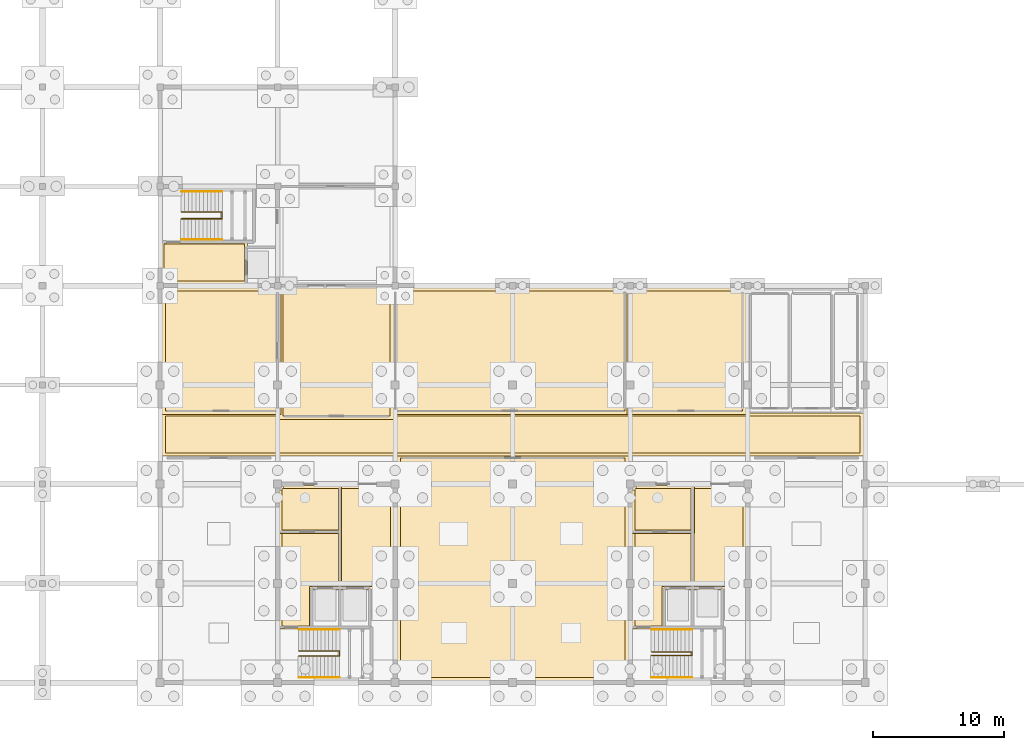
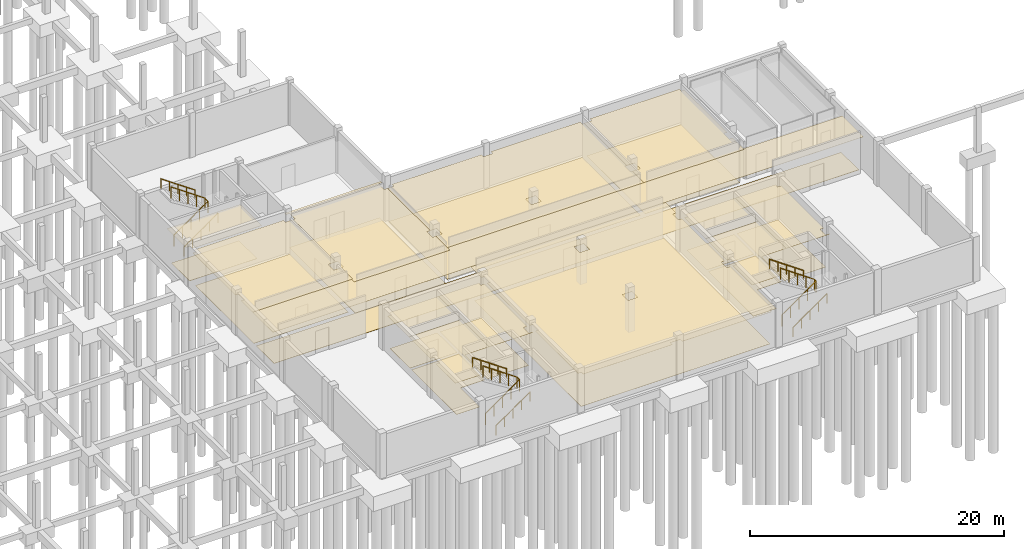
# One storey, part 26 of 28: 26 coverings, 9 railings.
"""IFC4 building model written with IfcOpenShell, lengths in metres."""

from ifc_helpers import new_model, si_unit, direction, frame, origin, origin_2d, place, context, subcontext, project, spatial, polyline, circle, outline, extrude, material, layer, layer_set, type_object, element, save


model = new_model("IFC4")

# Units and contexts
model_context = context("Model", 3, precision=1e-05, world=origin(), true_north=direction((0.0, 1.0)))
body_context = subcontext(model_context, "Body", "Model", "MODEL_VIEW")
ifc_project = project(units=[si_unit("LENGTHUNIT", "METRE"), si_unit("AREAUNIT", "SQUARE_METRE"), si_unit("VOLUMEUNIT", "CUBIC_METRE"), si_unit("PLANEANGLEUNIT", "RADIAN"), si_unit("MASSUNIT", "GRAM", prefix="KILO")], contexts=[model_context])

# Site, building, storey
site_placement = place(None, origin())
site = spatial("IfcSite", under=ifc_project, at=site_placement, CompositionType="ELEMENT")
building_placement = place(site_placement, origin())
building = spatial("IfcBuilding", under=site, at=building_placement, Name="Caisbarro Railhouse Central Library", CompositionType="ELEMENT")
storey_placement = place(building_placement, frame((0.0, 0.0, -4.320068359375)))
storey = spatial("IfcBuildingStorey", under=building, at=storey_placement, Name="B01", CompositionType="ELEMENT", Elevation=-4.320068359375)

# Coverings
ifc_material_1 = material(Name="Perforated mineral-fibre acoustic ceiling tile")
ifc_layer_1 = layer(ifc_material_1, 0.01806640625, Name="Perforated mineral-fibre acoustic ceiling tile")
ifc_layer_set_1 = layer_set([ifc_layer_1], Name="Perforated mineral-fibre acoustic ceiling tile")
covering_type_1 = type_object("IfcCoveringType", Name="COV-CL01", PredefinedType="CEILING", material=ifc_layer_set_1)
covering_1_placement = place(storey_placement, frame((0.0, 0.0, 3.25)))
element("IfcCovering", 1, at=covering_1_placement, inside=storey, type_object=covering_type_1, Name="CL01 acoustic ceiling Firefighting Lift Lobby K1", PredefinedType="CEILING", context=body_context, shape_type="SweptSolid", body=[
    extrude(outline(polyline([(63.090087890625, 7.159912109375), (63.43994140625, 7.159912109375), (63.43994140625, 8.0400390625), (63.090087890625, 8.0400390625), (63.090087890625, 11.7099609375), (67.909912109375, 11.7099609375), (67.909912109375, 7.090087890625), (65.7099609375, 7.090087890625), (65.7099609375, 4.090087890625), (63.090087890625, 4.090087890625), (63.090087890625, 7.159912109375)])), origin(), (0.0, 0.0, 1.0), 0.01806640625),
])
covering_2_placement = place(storey_placement, frame((0.0, 0.0, 3.25)))
element("IfcCovering", 2, at=covering_2_placement, inside=storey, type_object=covering_type_1, Name="CL01 acoustic ceiling Lift Lobby K1", PredefinedType="CEILING", context=body_context, shape_type="SweptSolid", body=[
    extrude(outline(polyline([(71.56005859375, 15.110107421875), (71.56005859375, 14.760009765625), (71.909912109375, 14.760009765625), (71.909912109375, 8.0400390625), (71.56005859375, 8.0400390625), (71.56005859375, 7.159912109375), (71.909912109375, 7.159912109375), (71.909912109375, 7.090087890625), (67.639892578125, 7.090087890625), (67.639892578125, 15.110107421875), (71.56005859375, 15.110107421875)])), origin(), (0.0, 0.0, 1.0), 0.01806640625),
])
covering_3_placement = place(storey_placement, frame((0.0, 0.0, 3.25)))
element("IfcCovering", 3, at=covering_3_placement, inside=storey, type_object=covering_type_1, Name="CL01 acoustic ceiling Core Vestibule K1", PredefinedType="CEILING", context=body_context, shape_type="SweptSolid", body=[
    extrude(outline(polyline([(63.090087890625, 14.760009765625), (63.43994140625, 14.760009765625), (63.43994140625, 15.110107421875), (67.909912109375, 15.110107421875), (67.909912109375, 11.43994140625), (63.090087890625, 11.43994140625), (63.090087890625, 14.760009765625)])), origin(), (0.0, 0.0, 1.0), 0.01806640625),
])
covering_4_placement = place(storey_placement, frame((0.0, 0.0, 3.25)))
element("IfcCovering", 4, at=covering_4_placement, inside=storey, type_object=covering_type_1, Name="CL01 acoustic ceiling Firefighting Lift Lobby K2", PredefinedType="CEILING", context=body_context, shape_type="SweptSolid", body=[
    extrude(outline(polyline([(90.090087890625, 7.159912109375), (90.43994140625, 7.159912109375), (90.43994140625, 8.0400390625), (90.090087890625, 8.0400390625), (90.090087890625, 11.7099609375), (94.909912109375, 11.7099609375), (94.909912109375, 7.090087890625), (92.7099609375, 7.090087890625), (92.7099609375, 4.090087890625), (90.090087890625, 4.090087890625), (90.090087890625, 7.159912109375)])), origin(), (0.0, 0.0, 1.0), 0.01806640625),
])
covering_5_placement = place(storey_placement, frame((0.0, 0.0, 3.25)))
element("IfcCovering", 5, at=covering_5_placement, inside=storey, type_object=covering_type_1, Name="CL01 acoustic ceiling Lift Lobby K2", PredefinedType="CEILING", context=body_context, shape_type="SweptSolid", body=[
    extrude(outline(polyline([(98.56005859375, 15.110107421875), (98.56005859375, 14.760009765625), (98.909912109375, 14.760009765625), (98.909912109375, 8.0400390625), (98.56005859375, 8.0400390625), (98.56005859375, 7.159912109375), (98.909912109375, 7.159912109375), (98.909912109375, 7.090087890625), (94.639892578125, 7.090087890625), (94.639892578125, 15.110107421875), (98.56005859375, 15.110107421875)])), origin(), (0.0, 0.0, 1.0), 0.01806640625),
])
covering_6_placement = place(storey_placement, frame((0.0, 0.0, 3.25)))
element("IfcCovering", 6, at=covering_6_placement, inside=storey, type_object=covering_type_1, Name="CL01 acoustic ceiling Core Vestibule K2", PredefinedType="CEILING", context=body_context, shape_type="SweptSolid", body=[
    extrude(outline(polyline([(90.090087890625, 14.760009765625), (90.43994140625, 14.760009765625), (90.43994140625, 15.110107421875), (94.909912109375, 15.110107421875), (94.909912109375, 11.43994140625), (90.090087890625, 11.43994140625), (90.090087890625, 14.760009765625)])), origin(), (0.0, 0.0, 1.0), 0.01806640625),
])
covering_7_placement = place(storey_placement, frame((0.0, 0.0, 3.25)))
element("IfcCovering", 7, at=covering_7_placement, inside=storey, type_object=covering_type_1, Name="CL01 acoustic ceiling Lift Lobby K4", PredefinedType="CEILING", context=body_context, shape_type="SweptSolid", body=[
    extrude(outline(polyline([(54.0400390625, 33.860107421875), (60.7099609375, 33.860107421875), (60.7099609375, 30.489990234375), (54.43994140625, 30.489990234375), (54.43994140625, 30.840087890625), (54.0400390625, 30.840087890625), (54.0400390625, 33.860107421875)])), origin(), (0.0, 0.0, 1.0), 0.01806640625),
])
covering_8_placement = place(storey_placement, frame((0.0, 0.0, 3.25)))
element("IfcCovering", 8, at=covering_8_placement, inside=storey, type_object=covering_type_1, Name="CL01 acoustic ceiling Archive Service Corridor", PredefinedType="CEILING", context=body_context, shape_type="SweptSolid", body=[
    extrude(outline(polyline([(54.139892578125, 17.340087890625), (54.139892578125, 20.659912109375), (107.860107421875, 20.659912109375), (107.860107421875, 17.340087890625), (54.139892578125, 17.340087890625)])), origin(), (0.0, 0.0, 1.0), 0.01806640625),
])
covering_9_placement = place(storey_placement, frame((0.0, 0.0, 3.25)))
element("IfcCovering", 9, at=covering_9_placement, inside=storey, type_object=covering_type_1, Name="CL01 acoustic ceiling Rare-Books Climate Vault", PredefinedType="CEILING", context=body_context, shape_type="SweptSolid", body=[
    extrude(outline(polyline([(72.43994140625, 0.43994140625), (72.139892578125, 0.43994140625), (72.139892578125, 7.159912109375), (72.43994140625, 7.159912109375), (72.43994140625, 8.0400390625), (72.139892578125, 8.0400390625), (72.139892578125, 14.760009765625), (72.43994140625, 14.760009765625), (72.43994140625, 15.639892578125), (72.139892578125, 15.639892578125), (72.139892578125, 17.4599609375), (89.860107421875, 17.4599609375), (89.860107421875, 15.639892578125), (89.56005859375, 15.639892578125), (89.56005859375, 14.760009765625), (89.860107421875, 14.760009765625), (89.860107421875, 8.0400390625), (89.56005859375, 8.0400390625), (89.56005859375, 7.159912109375), (89.860107421875, 7.159912109375), (89.860107421875, 0.43994140625), (89.56005859375, 0.43994140625), (89.56005859375, 0.139892578125), (81.43994140625, 0.139892578125), (81.43994140625, 0.43994140625), (80.56005859375, 0.43994140625), (80.56005859375, 0.139892578125), (72.43994140625, 0.139892578125), (72.43994140625, 0.43994140625)]), holes=[polyline([(81.43994140625, 8.0400390625), (80.56005859375, 8.0400390625), (80.56005859375, 7.159912109375), (81.43994140625, 7.159912109375), (81.43994140625, 8.0400390625)]), polyline([(81.43994140625, 14.760009765625), (81.43994140625, 15.639892578125), (80.56005859375, 15.639892578125), (80.56005859375, 14.760009765625), (81.43994140625, 14.760009765625)])]), origin(), (0.0, 0.0, 1.0), 0.01806640625),
])
covering_10_placement = place(storey_placement, frame((0.0, 0.0, 3.25)))
element("IfcCovering", 10, at=covering_10_placement, inside=storey, type_object=covering_type_1, Name="CL01 acoustic ceiling Compact Mobile Shelving Archive", PredefinedType="CEILING", context=body_context, shape_type="SweptSolid", body=[
    extrude(outline(polyline([(54.139892578125, 23.239990234375), (54.139892578125, 29.9599609375), (54.43994140625, 29.9599609375), (54.43994140625, 30.260009765625), (62.56005859375, 30.260009765625), (62.56005859375, 29.9599609375), (63.260009765625, 29.9599609375), (63.260009765625, 23.239990234375), (62.56005859375, 23.239990234375), (62.56005859375, 22.360107421875), (63.260009765625, 22.360107421875), (63.260009765625, 20.5400390625), (54.139892578125, 20.5400390625), (54.139892578125, 22.360107421875), (54.43994140625, 22.360107421875), (54.43994140625, 23.239990234375), (54.139892578125, 23.239990234375)])), origin(), (0.0, 0.0, 1.0), 0.01806640625),
])
covering_11_placement = place(storey_placement, frame((0.0, 0.0, 3.25)))
element("IfcCovering", 11, at=covering_11_placement, inside=storey, type_object=covering_type_1, Name="CL01 acoustic ceiling North Basement Link Corridor", PredefinedType="CEILING", context=body_context, shape_type="SweptSolid", body=[
    extrude(outline(polyline([(63.139892578125, 23.239990234375), (63.139892578125, 29.9599609375), (63.43994140625, 29.9599609375), (63.43994140625, 30.840087890625), (63.139892578125, 30.840087890625), (63.139892578125, 31.06005859375), (71.860107421875, 31.06005859375), (71.860107421875, 30.840087890625), (71.56005859375, 30.840087890625), (71.56005859375, 29.9599609375), (71.860107421875, 29.9599609375), (71.860107421875, 23.239990234375), (71.56005859375, 23.239990234375), (71.56005859375, 22.360107421875), (71.860107421875, 22.360107421875), (71.860107421875, 20.139892578125), (63.139892578125, 20.139892578125), (63.139892578125, 22.360107421875), (63.43994140625, 22.360107421875), (63.43994140625, 23.239990234375), (63.139892578125, 23.239990234375)])), origin(), (0.0, 0.0, 1.0), 0.01806640625),
])
covering_12_placement = place(storey_placement, frame((0.0, 0.0, 3.25)))
element("IfcCovering", 12, at=covering_12_placement, inside=storey, type_object=covering_type_1, Name="CL01 acoustic ceiling Book Quarantine and Anoxia Lab", PredefinedType="CEILING", context=body_context, shape_type="SweptSolid", body=[
    extrude(outline(polyline([(72.43994140625, 29.9599609375), (72.43994140625, 30.260009765625), (80.56005859375, 30.260009765625), (80.56005859375, 29.9599609375), (81.43994140625, 29.9599609375), (81.43994140625, 30.260009765625), (89.56005859375, 30.260009765625), (89.56005859375, 29.9599609375), (89.860107421875, 29.9599609375), (89.860107421875, 23.239990234375), (89.56005859375, 23.239990234375), (89.56005859375, 22.360107421875), (89.860107421875, 22.360107421875), (89.860107421875, 20.5400390625), (71.739990234375, 20.5400390625), (71.739990234375, 22.360107421875), (72.43994140625, 22.360107421875), (72.43994140625, 23.239990234375), (71.739990234375, 23.239990234375), (71.739990234375, 29.9599609375), (72.43994140625, 29.9599609375)]), holes=[polyline([(81.43994140625, 22.360107421875), (81.43994140625, 23.239990234375), (80.56005859375, 23.239990234375), (80.56005859375, 22.360107421875), (81.43994140625, 22.360107421875)])]), origin(), (0.0, 0.0, 1.0), 0.01806640625),
])
covering_13_placement = place(storey_placement, frame((0.0, 0.0, 3.25)))
element("IfcCovering", 13, at=covering_13_placement, inside=storey, type_object=covering_type_1, Name="CL01 acoustic ceiling Digital Audio-Visual Archive", PredefinedType="CEILING", context=body_context, shape_type="SweptSolid", body=[
    extrude(outline(polyline([(89.739990234375, 23.239990234375), (89.739990234375, 29.9599609375), (90.43994140625, 29.9599609375), (90.43994140625, 30.260009765625), (98.56005859375, 30.260009765625), (98.56005859375, 29.9599609375), (98.860107421875, 29.9599609375), (98.860107421875, 23.239990234375), (98.56005859375, 23.239990234375), (98.56005859375, 22.360107421875), (98.860107421875, 22.360107421875), (98.860107421875, 20.5400390625), (89.739990234375, 20.5400390625), (89.739990234375, 22.360107421875), (90.43994140625, 22.360107421875), (90.43994140625, 23.239990234375), (89.739990234375, 23.239990234375)])), origin(), (0.0, 0.0, 1.0), 0.01806640625),
])
ifc_material_2 = material(Name="Polished cementitious terrazzo flooring")
ifc_layer_2 = layer(ifc_material_2, 0.02197265625, Name="Polished cementitious terrazzo flooring")
ifc_layer_set_2 = layer_set([ifc_layer_2], Name="Polished cementitious terrazzo flooring")
covering_type_2 = type_object("IfcCoveringType", Name="COV-FL01", PredefinedType="FLOORING", material=ifc_layer_set_2)
covering_14_placement = place(storey_placement, origin())
element("IfcCovering", 14, at=covering_14_placement, inside=storey, type_object=covering_type_2, Name="FL01 flooring Firefighting Lift Lobby K1", PredefinedType="FLOORING", context=body_context, shape_type="SweptSolid", body=[
    extrude(outline(polyline([(63.35009765625, 4.35009765625), (65.449951171875, 4.35009765625), (65.449951171875, 7.35009765625), (67.64990234375, 7.35009765625), (67.64990234375, 11.449951171875), (63.35009765625, 11.449951171875), (63.35009765625, 4.35009765625)])), origin(), (0.0, 0.0, 1.0), 0.02197265625),
])
covering_15_placement = place(storey_placement, origin())
element("IfcCovering", 15, at=covering_15_placement, inside=storey, type_object=covering_type_2, Name="FL01 flooring Lift Lobby K1", PredefinedType="FLOORING", context=body_context, shape_type="SweptSolid", body=[
    extrude(outline(polyline([(67.89990234375, 7.35009765625), (71.64990234375, 7.35009765625), (71.64990234375, 14.85009765625), (67.89990234375, 14.85009765625), (67.89990234375, 7.35009765625)])), origin(), (0.0, 0.0, 1.0), 0.02197265625),
])
covering_16_placement = place(storey_placement, origin())
element("IfcCovering", 16, at=covering_16_placement, inside=storey, type_object=covering_type_2, Name="FL01 flooring Firefighting Lift Lobby K2", PredefinedType="FLOORING", context=body_context, shape_type="SweptSolid", body=[
    extrude(outline(polyline([(90.35009765625, 4.35009765625), (92.449951171875, 4.35009765625), (92.449951171875, 7.35009765625), (94.64990234375, 7.35009765625), (94.64990234375, 11.449951171875), (90.35009765625, 11.449951171875), (90.35009765625, 4.35009765625)])), origin(), (0.0, 0.0, 1.0), 0.02197265625),
])
covering_17_placement = place(storey_placement, origin())
element("IfcCovering", 17, at=covering_17_placement, inside=storey, type_object=covering_type_2, Name="FL01 flooring Lift Lobby K2", PredefinedType="FLOORING", context=body_context, shape_type="SweptSolid", body=[
    extrude(outline(polyline([(94.89990234375, 7.35009765625), (98.64990234375, 7.35009765625), (98.64990234375, 14.85009765625), (94.89990234375, 14.85009765625), (94.89990234375, 7.35009765625)])), origin(), (0.0, 0.0, 1.0), 0.02197265625),
])
covering_18_placement = place(storey_placement, origin())
element("IfcCovering", 18, at=covering_18_placement, inside=storey, type_object=covering_type_2, Name="FL01 flooring Lift Lobby K4", PredefinedType="FLOORING", context=body_context, shape_type="SweptSolid", body=[
    extrude(outline(polyline([(54.300048828125, 30.75), (60.449951171875, 30.75), (60.449951171875, 33.60009765625), (54.300048828125, 33.60009765625), (54.300048828125, 30.75)])), origin(), (0.0, 0.0, 1.0), 0.02197265625),
])
covering_19_placement = place(storey_placement, origin())
element("IfcCovering", 19, at=covering_19_placement, inside=storey, type_object=covering_type_2, Name="FL01 flooring Archive Service Corridor", PredefinedType="FLOORING", context=body_context, shape_type="SweptSolid", body=[
    extrude(outline(polyline([(54.39990234375, 17.60009765625), (107.60009765625, 17.60009765625), (107.60009765625, 20.39990234375), (54.39990234375, 20.39990234375), (54.39990234375, 17.60009765625)])), origin(), (0.0, 0.0, 1.0), 0.02197265625),
])
covering_20_placement = place(storey_placement, origin())
element("IfcCovering", 20, at=covering_20_placement, inside=storey, type_object=covering_type_2, Name="FL01 flooring North Basement Link Corridor", PredefinedType="FLOORING", context=body_context, shape_type="SweptSolid", body=[
    extrude(outline(polyline([(63.39990234375, 20.39990234375), (71.60009765625, 20.39990234375), (71.60009765625, 30.800048828125), (63.39990234375, 30.800048828125), (63.39990234375, 20.39990234375)])), origin(), (0.0, 0.0, 1.0), 0.02197265625),
])
ifc_material_3 = material(Name="Heavy-duty acoustic linoleum flooring")
ifc_layer_3 = layer(ifc_material_3, 0.011962890625, Name="Heavy-duty acoustic linoleum flooring")
ifc_layer_set_3 = layer_set([ifc_layer_3], Name="Heavy-duty acoustic linoleum flooring")
covering_type_3 = type_object("IfcCoveringType", Name="COV-FL02", PredefinedType="FLOORING", material=ifc_layer_set_3)
covering_21_placement = place(storey_placement, origin())
element("IfcCovering", 21, at=covering_21_placement, inside=storey, type_object=covering_type_3, Name="FL02 flooring Core Vestibule K1", PredefinedType="FLOORING", context=body_context, shape_type="SweptSolid", body=[
    extrude(outline(polyline([(63.35009765625, 11.699951171875), (67.64990234375, 11.699951171875), (67.64990234375, 14.85009765625), (63.35009765625, 14.85009765625), (63.35009765625, 11.699951171875)])), origin(), (0.0, 0.0, 1.0), 0.011962890625),
])
covering_22_placement = place(storey_placement, origin())
element("IfcCovering", 22, at=covering_22_placement, inside=storey, type_object=covering_type_3, Name="FL02 flooring Core Vestibule K2", PredefinedType="FLOORING", context=body_context, shape_type="SweptSolid", body=[
    extrude(outline(polyline([(90.35009765625, 11.699951171875), (94.64990234375, 11.699951171875), (94.64990234375, 14.85009765625), (90.35009765625, 14.85009765625), (90.35009765625, 11.699951171875)])), origin(), (0.0, 0.0, 1.0), 0.011962890625),
])
covering_23_placement = place(storey_placement, origin())
element("IfcCovering", 23, at=covering_23_placement, inside=storey, type_object=covering_type_3, Name="FL02 flooring Rare-Books Climate Vault", PredefinedType="FLOORING", context=body_context, shape_type="SweptSolid", body=[
    extrude(outline(polyline([(72.39990234375, 0.39990234375), (89.60009765625, 0.39990234375), (89.60009765625, 17.199951171875), (72.39990234375, 17.199951171875), (72.39990234375, 0.39990234375)])), origin(), (0.0, 0.0, 1.0), 0.011962890625),
])
covering_24_placement = place(storey_placement, origin())
element("IfcCovering", 24, at=covering_24_placement, inside=storey, type_object=covering_type_3, Name="FL02 flooring Compact Mobile Shelving Archive", PredefinedType="FLOORING", context=body_context, shape_type="SweptSolid", body=[
    extrude(outline(polyline([(54.39990234375, 20.800048828125), (63.0, 20.800048828125), (63.0, 30.0), (54.39990234375, 30.0), (54.39990234375, 20.800048828125)])), origin(), (0.0, 0.0, 1.0), 0.011962890625),
])
covering_25_placement = place(storey_placement, origin())
element("IfcCovering", 25, at=covering_25_placement, inside=storey, type_object=covering_type_3, Name="FL02 flooring Book Quarantine and Anoxia Lab", PredefinedType="FLOORING", context=body_context, shape_type="SweptSolid", body=[
    extrude(outline(polyline([(72.0, 20.800048828125), (89.60009765625, 20.800048828125), (89.60009765625, 30.0), (72.0, 30.0), (72.0, 20.800048828125)])), origin(), (0.0, 0.0, 1.0), 0.011962890625),
])
covering_26_placement = place(storey_placement, origin())
element("IfcCovering", 26, at=covering_26_placement, inside=storey, type_object=covering_type_3, Name="FL02 flooring Digital Audio-Visual Archive", PredefinedType="FLOORING", context=body_context, shape_type="SweptSolid", body=[
    extrude(outline(polyline([(90.0, 20.800048828125), (98.60009765625, 20.800048828125), (98.60009765625, 30.0), (90.0, 30.0), (90.0, 20.800048828125)])), origin(), (0.0, 0.0, 1.0), 0.011962890625),
])

# Railings
ifc_material_4 = material(Name="Brushed stainless steel Grade 316", Category="steel")
railing_type_1 = type_object("IfcRailingType", Name="RLG-STR092", PredefinedType="HANDRAIL", material=ifc_material_4)
railing_1_placement = place(storey_placement, frame((64.64990234375, 0.389892578125, 0.0)))
element("IfcRailing", 27, at=railing_1_placement, inside=storey, type_object=railing_type_1, Name="Stair ST-01 Outer Handrail F1 B01", PredefinedType="HANDRAIL", context=body_context, shape_type="SweptSolid", body=[
    extrude(circle(Radius=0.02392578125, at=origin_2d()), frame((0.0, 0.0, 0.89599609375), z_axis=(0.819593772312, 0.0, 0.572945065767), x_axis=(0.0, 1.0, 0.0)), (0.0, 0.0, 1.0), 3.770263671875),
    extrude(circle(Radius=0.02099609375, at=origin_2d()), origin(), (0.0, 0.0, 1.0), 0.871826171875),
    extrude(circle(Radius=0.02099609375, at=origin_2d()), frame((0.7724609375, 0.0, 0.5400390625)), (0.0, 0.0, 1.0), 0.871826171875),
    extrude(circle(Radius=0.02099609375, at=origin_2d()), frame((1.544921875, 0.0, 1.080078125)), (0.0, 0.0, 1.0), 0.871826171875),
    extrude(circle(Radius=0.02099609375, at=origin_2d()), frame((2.317626953125, 0.0, 1.6201171875)), (0.0, 0.0, 1.0), 0.871826171875),
    extrude(circle(Radius=0.02099609375, at=origin_2d()), frame((3.090087890625, 0.0, 2.16015625)), (0.0, 0.0, 1.0), 0.871826171875),
])
railing_2_placement = place(storey_placement, frame((67.739990234375, 4.06005859375, 2.16015625)))
element("IfcRailing", 28, at=railing_2_placement, inside=storey, type_object=railing_type_1, Name="Stair ST-01 Outer Handrail F2 B01", PredefinedType="HANDRAIL", context=body_context, shape_type="SweptSolid", body=[
    extrude(circle(Radius=0.02392578125, at=origin_2d()), frame((0.0, 0.0, 0.89599609375), z_axis=(-0.819624179701, 0.0, 0.572901565759), x_axis=(0.0, -1.0, 0.0)), (0.0, 0.0, 1.0), 3.77001953125),
    extrude(circle(Radius=0.02099609375, at=origin_2d()), origin(), (0.0, 0.0, 1.0), 0.871826171875),
    extrude(circle(Radius=0.02099609375, at=origin_2d()), frame((-0.7724609375, 0.0, 0.5400390625)), (0.0, 0.0, 1.0), 0.871826171875),
    extrude(circle(Radius=0.02099609375, at=origin_2d()), frame((-1.544921875, 0.0, 1.080078125)), (0.0, 0.0, 1.0), 0.871826171875),
    extrude(circle(Radius=0.02099609375, at=origin_2d()), frame((-2.317626953125, 0.0, 1.619873046875)), (0.0, 0.0, 1.0), 0.871826171875),
    extrude(circle(Radius=0.02099609375, at=origin_2d()), frame((-3.090087890625, 0.0, 2.159912109375)), (0.0, 0.0, 1.0), 0.871826171875),
])
railing_3_placement = place(storey_placement, frame((91.64990234375, 0.389892578125, 0.0)))
element("IfcRailing", 29, at=railing_3_placement, inside=storey, type_object=railing_type_1, Name="Stair ST-02 Outer Handrail F1 B01", PredefinedType="HANDRAIL", context=body_context, shape_type="SweptSolid", body=[
    extrude(circle(Radius=0.02392578125, at=origin_2d()), frame((0.0, 0.0, 0.89599609375), z_axis=(0.819593772312, 0.0, 0.572945065767), x_axis=(0.0, 1.0, 0.0)), (0.0, 0.0, 1.0), 3.770263671875),
    extrude(circle(Radius=0.02099609375, at=origin_2d()), origin(), (0.0, 0.0, 1.0), 0.871826171875),
    extrude(circle(Radius=0.02099609375, at=origin_2d()), frame((0.7724609375, 0.0, 0.5400390625)), (0.0, 0.0, 1.0), 0.871826171875),
    extrude(circle(Radius=0.02099609375, at=origin_2d()), frame((1.544921875, 0.0, 1.080078125)), (0.0, 0.0, 1.0), 0.871826171875),
    extrude(circle(Radius=0.02099609375, at=origin_2d()), frame((2.317626953125, 0.0, 1.6201171875)), (0.0, 0.0, 1.0), 0.871826171875),
    extrude(circle(Radius=0.02099609375, at=origin_2d()), frame((3.090087890625, 0.0, 2.16015625)), (0.0, 0.0, 1.0), 0.871826171875),
])
railing_4_placement = place(storey_placement, frame((94.739990234375, 4.06005859375, 2.16015625)))
element("IfcRailing", 30, at=railing_4_placement, inside=storey, type_object=railing_type_1, Name="Stair ST-02 Outer Handrail F2 B01", PredefinedType="HANDRAIL", context=body_context, shape_type="SweptSolid", body=[
    extrude(circle(Radius=0.02392578125, at=origin_2d()), frame((0.0, 0.0, 0.89599609375), z_axis=(-0.819624179701, 0.0, 0.572901565759), x_axis=(0.0, -1.0, 0.0)), (0.0, 0.0, 1.0), 3.77001953125),
    extrude(circle(Radius=0.02099609375, at=origin_2d()), origin(), (0.0, 0.0, 1.0), 0.871826171875),
    extrude(circle(Radius=0.02099609375, at=origin_2d()), frame((-0.7724609375, 0.0, 0.5400390625)), (0.0, 0.0, 1.0), 0.871826171875),
    extrude(circle(Radius=0.02099609375, at=origin_2d()), frame((-1.544921875, 0.0, 1.080078125)), (0.0, 0.0, 1.0), 0.871826171875),
    extrude(circle(Radius=0.02099609375, at=origin_2d()), frame((-2.317626953125, 0.0, 1.619873046875)), (0.0, 0.0, 1.0), 0.871826171875),
    extrude(circle(Radius=0.02099609375, at=origin_2d()), frame((-3.090087890625, 0.0, 2.159912109375)), (0.0, 0.0, 1.0), 0.871826171875),
])
railing_5_placement = place(storey_placement, frame((55.64990234375, 33.93994140625, 0.0)))
element("IfcRailing", 31, at=railing_5_placement, inside=storey, type_object=railing_type_1, Name="Stair ST-04 Outer Handrail F1 B01", PredefinedType="HANDRAIL", context=body_context, shape_type="SweptSolid", body=[
    extrude(circle(Radius=0.02392578125, at=origin_2d()), frame((0.0, 0.0, 0.89599609375), z_axis=(0.819593772312, 0.0, 0.572945065767), x_axis=(0.0, 1.0, 0.0)), (0.0, 0.0, 1.0), 3.770263671875),
    extrude(circle(Radius=0.02099609375, at=origin_2d()), origin(), (0.0, 0.0, 1.0), 0.871826171875),
    extrude(circle(Radius=0.02099609375, at=origin_2d()), frame((0.7724609375, 0.0, 0.5400390625)), (0.0, 0.0, 1.0), 0.871826171875),
    extrude(circle(Radius=0.02099609375, at=origin_2d()), frame((1.544921875, 0.0, 1.080078125)), (0.0, 0.0, 1.0), 0.871826171875),
    extrude(circle(Radius=0.02099609375, at=origin_2d()), frame((2.317626953125, 0.0, 1.6201171875)), (0.0, 0.0, 1.0), 0.871826171875),
    extrude(circle(Radius=0.02099609375, at=origin_2d()), frame((3.090087890625, 0.0, 2.16015625)), (0.0, 0.0, 1.0), 0.871826171875),
])
railing_6_placement = place(storey_placement, frame((58.739990234375, 37.610107421875, 2.16015625)))
element("IfcRailing", 32, at=railing_6_placement, inside=storey, type_object=railing_type_1, Name="Stair ST-04 Outer Handrail F2 B01", PredefinedType="HANDRAIL", context=body_context, shape_type="SweptSolid", body=[
    extrude(circle(Radius=0.02392578125, at=origin_2d()), frame((0.0, 0.0, 0.89599609375), z_axis=(-0.819624179701, 0.0, 0.572901565759), x_axis=(0.0, -1.0, 0.0)), (0.0, 0.0, 1.0), 3.77001953125),
    extrude(circle(Radius=0.02099609375, at=origin_2d()), origin(), (0.0, 0.0, 1.0), 0.871826171875),
    extrude(circle(Radius=0.02099609375, at=origin_2d()), frame((-0.7724609375, 0.0, 0.5400390625)), (0.0, 0.0, 1.0), 0.871826171875),
    extrude(circle(Radius=0.02099609375, at=origin_2d()), frame((-1.544921875, 0.0, 1.080078125)), (0.0, 0.0, 1.0), 0.871826171875),
    extrude(circle(Radius=0.02099609375, at=origin_2d()), frame((-2.317626953125, 0.0, 1.619873046875)), (0.0, 0.0, 1.0), 0.871826171875),
    extrude(circle(Radius=0.02099609375, at=origin_2d()), frame((-3.090087890625, 0.0, 2.159912109375)), (0.0, 0.0, 1.0), 0.871826171875),
])
railing_type_2 = type_object("IfcRailingType", Name="RLG-STR110", PredefinedType="GUARDRAIL", material=ifc_material_4)
railing_7_placement = place(storey_placement, frame((64.64990234375, 2.030029296875, 0.0)))
element("IfcRailing", 33, at=railing_7_placement, inside=storey, type_object=railing_type_2, Name="Stair ST-01 Inner Well Guardrail B01", PredefinedType="GUARDRAIL", context=body_context, shape_type="SweptSolid", body=[
    extrude(circle(Radius=0.02392578125, at=origin_2d()), frame((0.0, 0.0, 1.076171875), z_axis=(0.819593772312, 0.0, 0.572945065767), x_axis=(0.0, 1.0, 0.0)), (0.0, 0.0, 1.0), 3.770263671875),
    extrude(circle(Radius=0.02392578125, at=origin_2d()), frame((3.090087890625, 0.0, 3.236328125), z_axis=(0.0, 1.0, 0.0), x_axis=(-1.0, 0.0, 0.0)), (0.0, 0.0, 1.0), 0.389892578125),
    extrude(circle(Radius=0.02392578125, at=origin_2d()), frame((3.090087890625, 0.389892578125, 3.236328125), z_axis=(-0.819624179701, 0.0, 0.572901565759), x_axis=(0.0, -1.0, 0.0)), (0.0, 0.0, 1.0), 3.77001953125),
    extrude(circle(Radius=0.02099609375, at=origin_2d()), origin(), (0.0, 0.0, 1.0), 1.052001953125),
    extrude(circle(Radius=0.02099609375, at=origin_2d()), frame((0.7724609375, 0.0, 0.5400390625)), (0.0, 0.0, 1.0), 1.052001953125),
    extrude(circle(Radius=0.02099609375, at=origin_2d()), frame((1.544921875, 0.0, 1.080078125)), (0.0, 0.0, 1.0), 1.052001953125),
    extrude(circle(Radius=0.02099609375, at=origin_2d()), frame((2.317626953125, 0.0, 1.6201171875)), (0.0, 0.0, 1.0), 1.052001953125),
    extrude(circle(Radius=0.02099609375, at=origin_2d()), frame((3.090087890625, 0.0, 2.16015625)), (0.0, 0.0, 1.0), 1.052001953125),
    extrude(circle(Radius=0.02099609375, at=origin_2d()), frame((3.090087890625, 0.389892578125, 2.16015625)), (0.0, 0.0, 1.0), 1.052001953125),
    extrude(circle(Radius=0.02099609375, at=origin_2d()), frame((2.317626953125, 0.389892578125, 2.7001953125)), (0.0, 0.0, 1.0), 1.052001953125),
    extrude(circle(Radius=0.02099609375, at=origin_2d()), frame((1.544921875, 0.389892578125, 3.240234375)), (0.0, 0.0, 1.0), 1.052001953125),
    extrude(circle(Radius=0.02099609375, at=origin_2d()), frame((0.7724609375, 0.389892578125, 3.780029296875)), (0.0, 0.0, 1.0), 1.052001953125),
    extrude(circle(Radius=0.02099609375, at=origin_2d()), frame((0.0, 0.389892578125, 4.320068359375)), (0.0, 0.0, 1.0), 1.052001953125),
])
railing_8_placement = place(storey_placement, frame((91.64990234375, 2.090087890625, 0.0)))
element("IfcRailing", 34, at=railing_8_placement, inside=storey, type_object=railing_type_2, Name="Stair ST-02 Inner Well Guardrail B01", PredefinedType="GUARDRAIL", context=body_context, shape_type="SweptSolid", body=[
    extrude(circle(Radius=0.02392578125, at=origin_2d()), frame((0.0, 0.0, 1.076171875), z_axis=(0.819593772312, 0.0, 0.572945065767), x_axis=(0.0, 1.0, 0.0)), (0.0, 0.0, 1.0), 3.770263671875),
    extrude(circle(Radius=0.02392578125, at=origin_2d()), frame((3.090087890625, 0.0, 3.236328125), z_axis=(0.0, 1.0, 0.0), x_axis=(-1.0, 0.0, 0.0)), (0.0, 0.0, 1.0), 0.27001953125),
    extrude(circle(Radius=0.02392578125, at=origin_2d()), frame((3.090087890625, 0.27001953125, 3.236328125), z_axis=(-0.819624179701, 0.0, 0.572901565759), x_axis=(0.0, -1.0, 0.0)), (0.0, 0.0, 1.0), 3.77001953125),
    extrude(circle(Radius=0.02099609375, at=origin_2d()), origin(), (0.0, 0.0, 1.0), 1.052001953125),
    extrude(circle(Radius=0.02099609375, at=origin_2d()), frame((0.7724609375, 0.0, 0.5400390625)), (0.0, 0.0, 1.0), 1.052001953125),
    extrude(circle(Radius=0.02099609375, at=origin_2d()), frame((1.544921875, 0.0, 1.080078125)), (0.0, 0.0, 1.0), 1.052001953125),
    extrude(circle(Radius=0.02099609375, at=origin_2d()), frame((2.317626953125, 0.0, 1.6201171875)), (0.0, 0.0, 1.0), 1.052001953125),
    extrude(circle(Radius=0.02099609375, at=origin_2d()), frame((3.090087890625, 0.0, 2.16015625)), (0.0, 0.0, 1.0), 1.052001953125),
    extrude(circle(Radius=0.02099609375, at=origin_2d()), frame((3.090087890625, 0.27001953125, 2.16015625)), (0.0, 0.0, 1.0), 1.052001953125),
    extrude(circle(Radius=0.02099609375, at=origin_2d()), frame((2.317626953125, 0.27001953125, 2.7001953125)), (0.0, 0.0, 1.0), 1.052001953125),
    extrude(circle(Radius=0.02099609375, at=origin_2d()), frame((1.544921875, 0.27001953125, 3.240234375)), (0.0, 0.0, 1.0), 1.052001953125),
    extrude(circle(Radius=0.02099609375, at=origin_2d()), frame((0.7724609375, 0.27001953125, 3.780029296875)), (0.0, 0.0, 1.0), 1.052001953125),
    extrude(circle(Radius=0.02099609375, at=origin_2d()), frame((0.0, 0.27001953125, 4.320068359375)), (0.0, 0.0, 1.0), 1.052001953125),
])
railing_9_placement = place(storey_placement, frame((55.64990234375, 35.52001953125, 0.0)))
element("IfcRailing", 35, at=railing_9_placement, inside=storey, type_object=railing_type_2, Name="Stair ST-04 Inner Well Guardrail B01", PredefinedType="GUARDRAIL", context=body_context, shape_type="SweptSolid", body=[
    extrude(circle(Radius=0.02392578125, at=origin_2d()), frame((0.0, 0.0, 1.076171875), z_axis=(0.819593772312, 0.0, 0.572945065767), x_axis=(0.0, 1.0, 0.0)), (0.0, 0.0, 1.0), 3.770263671875),
    extrude(circle(Radius=0.02392578125, at=origin_2d()), frame((3.090087890625, 0.0, 3.236328125), z_axis=(0.0, 1.0, 0.0), x_axis=(-1.0, 0.0, 0.0)), (0.0, 0.0, 1.0), 0.510009765625),
    extrude(circle(Radius=0.02392578125, at=origin_2d()), frame((3.090087890625, 0.510009765625, 3.236328125), z_axis=(-0.819624179701, 0.0, 0.572901565759), x_axis=(0.0, -1.0, 0.0)), (0.0, 0.0, 1.0), 3.77001953125),
    extrude(circle(Radius=0.02099609375, at=origin_2d()), origin(), (0.0, 0.0, 1.0), 1.052001953125),
    extrude(circle(Radius=0.02099609375, at=origin_2d()), frame((0.7724609375, 0.0, 0.5400390625)), (0.0, 0.0, 1.0), 1.052001953125),
    extrude(circle(Radius=0.02099609375, at=origin_2d()), frame((1.544921875, 0.0, 1.080078125)), (0.0, 0.0, 1.0), 1.052001953125),
    extrude(circle(Radius=0.02099609375, at=origin_2d()), frame((2.317626953125, 0.0, 1.6201171875)), (0.0, 0.0, 1.0), 1.052001953125),
    extrude(circle(Radius=0.02099609375, at=origin_2d()), frame((3.090087890625, 0.0, 2.16015625)), (0.0, 0.0, 1.0), 1.052001953125),
    extrude(circle(Radius=0.02099609375, at=origin_2d()), frame((3.090087890625, 0.510009765625, 2.16015625)), (0.0, 0.0, 1.0), 1.052001953125),
    extrude(circle(Radius=0.02099609375, at=origin_2d()), frame((2.317626953125, 0.510009765625, 2.7001953125)), (0.0, 0.0, 1.0), 1.052001953125),
    extrude(circle(Radius=0.02099609375, at=origin_2d()), frame((1.544921875, 0.510009765625, 3.240234375)), (0.0, 0.0, 1.0), 1.052001953125),
    extrude(circle(Radius=0.02099609375, at=origin_2d()), frame((0.7724609375, 0.510009765625, 3.780029296875)), (0.0, 0.0, 1.0), 1.052001953125),
    extrude(circle(Radius=0.02099609375, at=origin_2d()), frame((0.0, 0.510009765625, 4.320068359375)), (0.0, 0.0, 1.0), 1.052001953125),
])

save(model, "model.ifc")
